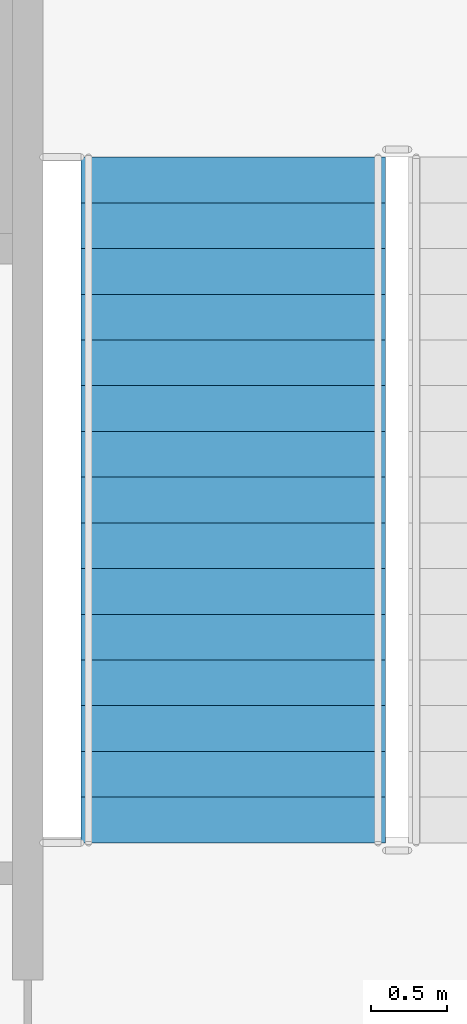
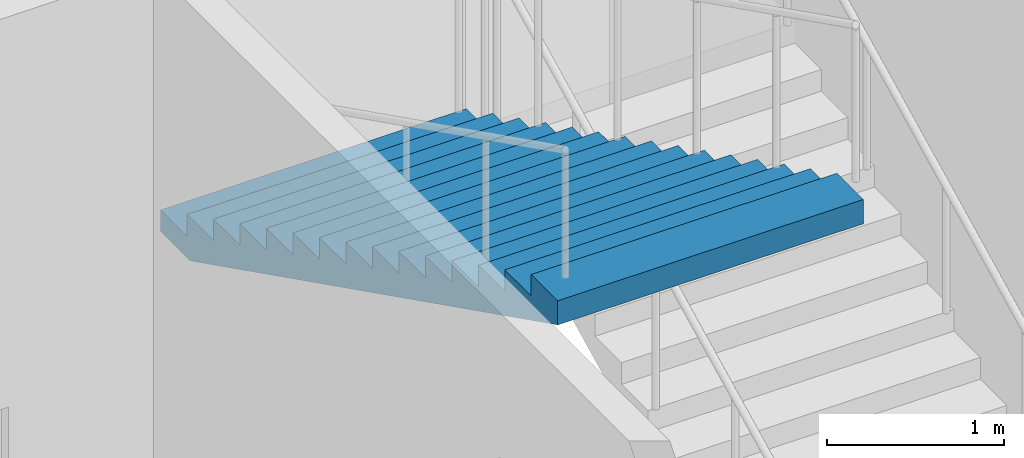
# One storey, part 42 of 91: 1 stair flight, 1 element without a shape of its own.
"""IFC4 building model written with IfcOpenShell, lengths in metres."""

from ifc_helpers import new_model, si_unit, direction, frame, origin, place, context, subcontext, project, spatial, faceted_brep, material, type_object, element, aggregate, save


model = new_model("IFC4")

# Units and contexts
model_context = context("Model", 3, precision=1e-05, world=origin(), true_north=direction((0.0, 1.0)))
body_context = subcontext(model_context, "Body", "Model", "MODEL_VIEW")
ifc_project = project(units=[si_unit("LENGTHUNIT", "METRE"), si_unit("AREAUNIT", "SQUARE_METRE"), si_unit("VOLUMEUNIT", "CUBIC_METRE"), si_unit("PLANEANGLEUNIT", "RADIAN"), si_unit("MASSUNIT", "GRAM", prefix="KILO")], contexts=[model_context])

# Site, building, storey
site_placement = place(None, origin())
site = spatial("IfcSite", under=ifc_project, at=site_placement, CompositionType="ELEMENT")
building_placement = place(site_placement, origin())
building = spatial("IfcBuilding", under=site, at=building_placement, Name="Kiln Court Media Centre", CompositionType="ELEMENT")
storey_placement = place(building_placement, frame((0.0, 0.0, 5.39990234375)))
storey = spatial("IfcBuildingStorey", under=building, at=storey_placement, Name="L01", CompositionType="ELEMENT", Elevation=5.39990234375)

# Stair, stair flight
ifc_material_1 = material(Name="Concrete C40/50", Category="concrete")
stair_type = type_object("IfcStairType", Name="Concrete C40/50 dog-leg stair 2000 wide, 150 riser", PredefinedType="HALF_TURN_STAIR", material=ifc_material_1)
stair_placement = place(storey_placement, origin())
stair = element("IfcStair", 1, at=stair_placement, inside=storey, type_object=stair_type, Name="ST-05 L01", PredefinedType="HALF_TURN_STAIR")
ifc_material_2 = material(Name="Concrete C40/50", Category="concrete")
stair_flight_type = type_object("IfcStairFlightType", Name="Concrete C40/50 stair flight 2000 wide, 150 riser, 300 going", PredefinedType="STRAIGHT", material=ifc_material_2)
stair_flight_placement = place(storey_placement, frame((55.449951171875, 22.89990234375, 2.400146484375), z_axis=(0.0, 0.0, 1.0), x_axis=(0.0, -1.0, 0.0)))
stair_flight = element("IfcStairFlight", 2, at=stair_flight_placement, type_object=stair_flight_type, Name="L01-ST-5004 flight 5009", NumberOfRisers=16, NumberOfTreads=15, PredefinedType="STRAIGHT", RiserHeight=0.15, TreadLength=0.3, context=body_context, shape_type="Brep", body=[
    faceted_brep([(0.335205078125, -1.0, 0.0), (4.5, -1.0, 2.08251953125), (4.5, -1.0, 2.25), (4.199951171875, -1.0, 2.25), (4.199951171875, -1.0, 2.10009765625), (3.89990234375, -1.0, 2.10009765625), (3.89990234375, -1.0, 1.949951171875), (3.60009765625, -1.0, 1.949951171875), (3.60009765625, -1.0, 1.800048828125), (3.300048828125, -1.0, 1.800048828125), (3.300048828125, -1.0, 1.64990234375), (3.0, -1.0, 1.64990234375), (3.0, -1.0, 1.5), (2.699951171875, -1.0, 1.5), (2.699951171875, -1.0, 1.35009765625), (2.39990234375, -1.0, 1.35009765625), (2.39990234375, -1.0, 1.199951171875), (2.10009765625, -1.0, 1.199951171875), (2.10009765625, -1.0, 1.050048828125), (1.800048828125, -1.0, 1.050048828125), (1.800048828125, -1.0, 0.89990234375), (1.5, -1.0, 0.89990234375), (1.5, -1.0, 0.75), (1.199951171875, -1.0, 0.75), (1.199951171875, -1.0, 0.60009765625), (0.89990234375, -1.0, 0.60009765625), (0.89990234375, -1.0, 0.449951171875), (0.60009765625, -1.0, 0.449951171875), (0.60009765625, -1.0, 0.300048828125), (0.300048828125, -1.0, 0.300048828125), (0.300048828125, -1.0, 0.14990234375), (0.0, -1.0, 0.14990234375), (0.0, -1.0, 0.0), (0.0, 1.0, 0.0), (0.0, 1.0, 0.14990234375), (0.300048828125, 1.0, 0.14990234375), (0.300048828125, 1.0, 0.300048828125), (0.60009765625, 1.0, 0.300048828125), (0.60009765625, 1.0, 0.449951171875), (0.89990234375, 1.0, 0.449951171875), (0.89990234375, 1.0, 0.60009765625), (1.199951171875, 1.0, 0.60009765625), (1.199951171875, 1.0, 0.75), (1.5, 1.0, 0.75), (1.5, 1.0, 0.89990234375), (1.800048828125, 1.0, 0.89990234375), (1.800048828125, 1.0, 1.050048828125), (2.10009765625, 1.0, 1.050048828125), (2.10009765625, 1.0, 1.199951171875), (2.39990234375, 1.0, 1.199951171875), (2.39990234375, 1.0, 1.35009765625), (2.699951171875, 1.0, 1.35009765625), (2.699951171875, 1.0, 1.5), (3.0, 1.0, 1.5), (3.0, 1.0, 1.64990234375), (3.300048828125, 1.0, 1.64990234375), (3.300048828125, 1.0, 1.800048828125), (3.60009765625, 1.0, 1.800048828125), (3.60009765625, 1.0, 1.949951171875), (3.89990234375, 1.0, 1.949951171875), (3.89990234375, 1.0, 2.10009765625), (4.199951171875, 1.0, 2.10009765625), (4.199951171875, 1.0, 2.25), (4.5, 1.0, 2.25), (4.5, 1.0, 2.08251953125), (0.335205078125, 1.0, 0.0), (4.5, 0.10009765625, 2.08251953125), (0.335205078125, 0.10009765625, 0.0), (4.5, 0.080078125, 2.08251953125), (0.335205078125, 0.080078125, 0.0), (4.5, 0.06005859375, 2.08251953125), (0.335205078125, 0.06005859375, 0.0), (4.5, 0.0400390625, 2.08251953125), (0.335205078125, 0.0400390625, 0.0), (4.5, 0.02001953125, 2.08251953125), (0.335205078125, 0.02001953125, 0.0), (4.5, 0.0, 2.08251953125), (0.335205078125, 0.0, 0.0), (4.5, -0.02001953125, 2.08251953125), (0.335205078125, -0.02001953125, 0.0), (4.5, -0.0400390625, 2.08251953125), (0.335205078125, -0.0400390625, 0.0), (4.5, -0.06005859375, 2.08251953125), (0.335205078125, -0.06005859375, 0.0), (4.5, -0.080078125, 2.08251953125), (0.335205078125, -0.080078125, 0.0), (4.5, -0.10009765625, 2.08251953125), (0.335205078125, -0.10009765625, 0.0), (4.5, 0.10009765625, 2.25), (4.5, 0.080078125, 2.25), (4.5, 0.06005859375, 2.25), (4.5, 0.0400390625, 2.25), (4.5, 0.02001953125, 2.25), (4.5, 0.0, 2.25), (4.5, -0.02001953125, 2.25), (4.5, -0.0400390625, 2.25), (4.5, -0.06005859375, 2.25), (4.5, -0.080078125, 2.25), (4.5, -0.10009765625, 2.25), (4.199951171875, 0.10009765625, 2.25), (4.199951171875, 0.080078125, 2.25), (4.199951171875, 0.06005859375, 2.25), (4.199951171875, 0.0400390625, 2.25), (4.199951171875, 0.02001953125, 2.25), (4.199951171875, 0.0, 2.25), (4.199951171875, -0.02001953125, 2.25), (4.199951171875, -0.0400390625, 2.25), (4.199951171875, -0.06005859375, 2.25), (4.199951171875, -0.080078125, 2.25), (4.199951171875, -0.10009765625, 2.25), (4.199951171875, 0.10009765625, 2.10009765625), (4.199951171875, 0.080078125, 2.10009765625), (4.199951171875, 0.06005859375, 2.10009765625), (4.199951171875, 0.0400390625, 2.10009765625), (4.199951171875, 0.02001953125, 2.10009765625), (4.199951171875, 0.0, 2.10009765625), (4.199951171875, -0.02001953125, 2.10009765625), (4.199951171875, -0.0400390625, 2.10009765625), (4.199951171875, -0.06005859375, 2.10009765625), (4.199951171875, -0.080078125, 2.10009765625), (4.199951171875, -0.10009765625, 2.10009765625), (3.89990234375, 0.10009765625, 2.10009765625), (3.89990234375, 0.080078125, 2.10009765625), (3.89990234375, 0.06005859375, 2.10009765625), (3.89990234375, 0.0400390625, 2.10009765625), (3.89990234375, 0.02001953125, 2.10009765625), (3.89990234375, 0.0, 2.10009765625), (3.89990234375, -0.02001953125, 2.10009765625), (3.89990234375, -0.0400390625, 2.10009765625), (3.89990234375, -0.06005859375, 2.10009765625), (3.89990234375, -0.080078125, 2.10009765625), (3.89990234375, -0.10009765625, 2.10009765625), (3.89990234375, 0.10009765625, 1.949951171875), (3.89990234375, 0.080078125, 1.949951171875), (3.89990234375, 0.06005859375, 1.949951171875), (3.89990234375, 0.0400390625, 1.949951171875), (3.89990234375, 0.02001953125, 1.949951171875), (3.89990234375, 0.0, 1.949951171875), (3.89990234375, -0.02001953125, 1.949951171875), (3.89990234375, -0.0400390625, 1.949951171875), (3.89990234375, -0.06005859375, 1.949951171875), (3.89990234375, -0.080078125, 1.949951171875), (3.89990234375, -0.10009765625, 1.949951171875), (3.60009765625, 0.10009765625, 1.949951171875), (3.60009765625, 0.080078125, 1.949951171875), (3.60009765625, 0.06005859375, 1.949951171875), (3.60009765625, 0.0400390625, 1.949951171875), (3.60009765625, 0.02001953125, 1.949951171875), (3.60009765625, 0.0, 1.949951171875), (3.60009765625, -0.02001953125, 1.949951171875), (3.60009765625, -0.0400390625, 1.949951171875), (3.60009765625, -0.06005859375, 1.949951171875), (3.60009765625, -0.080078125, 1.949951171875), (3.60009765625, -0.10009765625, 1.949951171875), (3.60009765625, 0.10009765625, 1.800048828125), (3.60009765625, 0.080078125, 1.800048828125), (3.60009765625, 0.06005859375, 1.800048828125), (3.60009765625, 0.0400390625, 1.800048828125), (3.60009765625, 0.02001953125, 1.800048828125), (3.60009765625, 0.0, 1.800048828125), (3.60009765625, -0.02001953125, 1.800048828125), (3.60009765625, -0.0400390625, 1.800048828125), (3.60009765625, -0.06005859375, 1.800048828125), (3.60009765625, -0.080078125, 1.800048828125), (3.60009765625, -0.10009765625, 1.800048828125), (3.300048828125, 0.10009765625, 1.800048828125), (3.300048828125, 0.080078125, 1.800048828125), (3.300048828125, 0.06005859375, 1.800048828125), (3.300048828125, 0.0400390625, 1.800048828125), (3.300048828125, 0.02001953125, 1.800048828125), (3.300048828125, 0.0, 1.800048828125), (3.300048828125, -0.02001953125, 1.800048828125), (3.300048828125, -0.0400390625, 1.800048828125), (3.300048828125, -0.06005859375, 1.800048828125), (3.300048828125, -0.080078125, 1.800048828125), (3.300048828125, -0.10009765625, 1.800048828125), (3.300048828125, 0.10009765625, 1.64990234375), (3.300048828125, 0.080078125, 1.64990234375), (3.300048828125, 0.06005859375, 1.64990234375), (3.300048828125, 0.0400390625, 1.64990234375), (3.300048828125, 0.02001953125, 1.64990234375), (3.300048828125, 0.0, 1.64990234375), (3.300048828125, -0.02001953125, 1.64990234375), (3.300048828125, -0.0400390625, 1.64990234375), (3.300048828125, -0.06005859375, 1.64990234375), (3.300048828125, -0.080078125, 1.64990234375), (3.300048828125, -0.10009765625, 1.64990234375), (3.0, 0.10009765625, 1.64990234375), (3.0, 0.080078125, 1.64990234375), (3.0, 0.06005859375, 1.64990234375), (3.0, 0.0400390625, 1.64990234375), (3.0, 0.02001953125, 1.64990234375), (3.0, 0.0, 1.64990234375), (3.0, -0.02001953125, 1.64990234375), (3.0, -0.0400390625, 1.64990234375), (3.0, -0.06005859375, 1.64990234375), (3.0, -0.080078125, 1.64990234375), (3.0, -0.10009765625, 1.64990234375), (3.0, 0.10009765625, 1.5), (3.0, 0.080078125, 1.5), (3.0, 0.06005859375, 1.5), (3.0, 0.0400390625, 1.5), (3.0, 0.02001953125, 1.5), (3.0, 0.0, 1.5), (3.0, -0.02001953125, 1.5), (3.0, -0.0400390625, 1.5), (3.0, -0.06005859375, 1.5), (3.0, -0.080078125, 1.5), (3.0, -0.10009765625, 1.5), (2.699951171875, 0.10009765625, 1.5), (2.699951171875, 0.080078125, 1.5), (2.699951171875, 0.06005859375, 1.5), (2.699951171875, 0.0400390625, 1.5), (2.699951171875, 0.02001953125, 1.5), (2.699951171875, 0.0, 1.5), (2.699951171875, -0.02001953125, 1.5), (2.699951171875, -0.0400390625, 1.5), (2.699951171875, -0.06005859375, 1.5), (2.699951171875, -0.080078125, 1.5), (2.699951171875, -0.10009765625, 1.5), (2.699951171875, 0.10009765625, 1.35009765625), (2.699951171875, 0.080078125, 1.35009765625), (2.699951171875, 0.06005859375, 1.35009765625), (2.699951171875, 0.0400390625, 1.35009765625), (2.699951171875, 0.02001953125, 1.35009765625), (2.699951171875, 0.0, 1.35009765625), (2.699951171875, -0.02001953125, 1.35009765625), (2.699951171875, -0.0400390625, 1.35009765625), (2.699951171875, -0.06005859375, 1.35009765625), (2.699951171875, -0.080078125, 1.35009765625), (2.699951171875, -0.10009765625, 1.35009765625), (2.39990234375, 0.10009765625, 1.35009765625), (2.39990234375, 0.080078125, 1.35009765625), (2.39990234375, 0.06005859375, 1.35009765625), (2.39990234375, 0.0400390625, 1.35009765625), (2.39990234375, 0.02001953125, 1.35009765625), (2.39990234375, 0.0, 1.35009765625), (2.39990234375, -0.02001953125, 1.35009765625), (2.39990234375, -0.0400390625, 1.35009765625), (2.39990234375, -0.06005859375, 1.35009765625), (2.39990234375, -0.080078125, 1.35009765625), (2.39990234375, -0.10009765625, 1.35009765625), (2.39990234375, 0.10009765625, 1.199951171875), (2.39990234375, 0.080078125, 1.199951171875), (2.39990234375, 0.06005859375, 1.199951171875), (2.39990234375, 0.0400390625, 1.199951171875), (2.39990234375, 0.02001953125, 1.199951171875), (2.39990234375, 0.0, 1.199951171875), (2.39990234375, -0.02001953125, 1.199951171875), (2.39990234375, -0.0400390625, 1.199951171875), (2.39990234375, -0.06005859375, 1.199951171875), (2.39990234375, -0.080078125, 1.199951171875), (2.39990234375, -0.10009765625, 1.199951171875), (2.10009765625, 0.10009765625, 1.199951171875), (2.10009765625, 0.080078125, 1.199951171875), (2.10009765625, 0.06005859375, 1.199951171875), (2.10009765625, 0.0400390625, 1.199951171875), (2.10009765625, 0.02001953125, 1.199951171875), (2.10009765625, 0.0, 1.199951171875), (2.10009765625, -0.02001953125, 1.199951171875), (2.10009765625, -0.0400390625, 1.199951171875), (2.10009765625, -0.06005859375, 1.199951171875), (2.10009765625, -0.080078125, 1.199951171875), (2.10009765625, -0.10009765625, 1.199951171875), (2.10009765625, 0.10009765625, 1.050048828125), (2.10009765625, 0.080078125, 1.050048828125), (2.10009765625, 0.06005859375, 1.050048828125), (2.10009765625, 0.0400390625, 1.050048828125), (2.10009765625, 0.02001953125, 1.050048828125), (2.10009765625, 0.0, 1.050048828125), (2.10009765625, -0.02001953125, 1.050048828125), (2.10009765625, -0.0400390625, 1.050048828125), (2.10009765625, -0.06005859375, 1.050048828125), (2.10009765625, -0.080078125, 1.050048828125), (2.10009765625, -0.10009765625, 1.050048828125), (1.800048828125, 0.10009765625, 1.050048828125), (1.800048828125, 0.080078125, 1.050048828125), (1.800048828125, 0.06005859375, 1.050048828125), (1.800048828125, 0.0400390625, 1.050048828125), (1.800048828125, 0.02001953125, 1.050048828125), (1.800048828125, 0.0, 1.050048828125), (1.800048828125, -0.02001953125, 1.050048828125), (1.800048828125, -0.0400390625, 1.050048828125), (1.800048828125, -0.06005859375, 1.050048828125), (1.800048828125, -0.080078125, 1.050048828125), (1.800048828125, -0.10009765625, 1.050048828125), (1.800048828125, 0.10009765625, 0.89990234375), (1.800048828125, 0.080078125, 0.89990234375), (1.800048828125, 0.06005859375, 0.89990234375), (1.800048828125, 0.0400390625, 0.89990234375), (1.800048828125, 0.02001953125, 0.89990234375), (1.800048828125, 0.0, 0.89990234375), (1.800048828125, -0.02001953125, 0.89990234375), (1.800048828125, -0.0400390625, 0.89990234375), (1.800048828125, -0.06005859375, 0.89990234375), (1.800048828125, -0.080078125, 0.89990234375), (1.800048828125, -0.10009765625, 0.89990234375), (1.5, 0.10009765625, 0.89990234375), (1.5, 0.080078125, 0.89990234375), (1.5, 0.06005859375, 0.89990234375), (1.5, 0.0400390625, 0.89990234375), (1.5, 0.02001953125, 0.89990234375), (1.5, 0.0, 0.89990234375), (1.5, -0.02001953125, 0.89990234375), (1.5, -0.0400390625, 0.89990234375), (1.5, -0.06005859375, 0.89990234375), (1.5, -0.080078125, 0.89990234375), (1.5, -0.10009765625, 0.89990234375), (1.5, 0.10009765625, 0.75), (1.5, 0.080078125, 0.75), (1.5, 0.06005859375, 0.75), (1.5, 0.0400390625, 0.75), (1.5, 0.02001953125, 0.75), (1.5, 0.0, 0.75), (1.5, -0.02001953125, 0.75), (1.5, -0.0400390625, 0.75), (1.5, -0.06005859375, 0.75), (1.5, -0.080078125, 0.75), (1.5, -0.10009765625, 0.75), (1.199951171875, 0.10009765625, 0.75), (1.199951171875, 0.080078125, 0.75), (1.199951171875, 0.06005859375, 0.75), (1.199951171875, 0.0400390625, 0.75), (1.199951171875, 0.02001953125, 0.75), (1.199951171875, 0.0, 0.75), (1.199951171875, -0.02001953125, 0.75), (1.199951171875, -0.0400390625, 0.75), (1.199951171875, -0.06005859375, 0.75), (1.199951171875, -0.080078125, 0.75), (1.199951171875, -0.10009765625, 0.75), (1.199951171875, 0.10009765625, 0.60009765625), (1.199951171875, 0.080078125, 0.60009765625), (1.199951171875, 0.06005859375, 0.60009765625), (1.199951171875, 0.0400390625, 0.60009765625), (1.199951171875, 0.02001953125, 0.60009765625), (1.199951171875, 0.0, 0.60009765625), (1.199951171875, -0.02001953125, 0.60009765625), (1.199951171875, -0.0400390625, 0.60009765625), (1.199951171875, -0.06005859375, 0.60009765625), (1.199951171875, -0.080078125, 0.60009765625), (1.199951171875, -0.10009765625, 0.60009765625), (0.89990234375, 0.10009765625, 0.60009765625), (0.89990234375, 0.080078125, 0.60009765625), (0.89990234375, 0.06005859375, 0.60009765625), (0.89990234375, 0.0400390625, 0.60009765625), (0.89990234375, 0.02001953125, 0.60009765625), (0.89990234375, 0.0, 0.60009765625), (0.89990234375, -0.02001953125, 0.60009765625), (0.89990234375, -0.0400390625, 0.60009765625), (0.89990234375, -0.06005859375, 0.60009765625), (0.89990234375, -0.080078125, 0.60009765625), (0.89990234375, -0.10009765625, 0.60009765625), (0.89990234375, 0.10009765625, 0.449951171875), (0.89990234375, 0.080078125, 0.449951171875), (0.89990234375, 0.06005859375, 0.449951171875), (0.89990234375, 0.0400390625, 0.449951171875), (0.89990234375, 0.02001953125, 0.449951171875), (0.89990234375, 0.0, 0.449951171875), (0.89990234375, -0.02001953125, 0.449951171875), (0.89990234375, -0.0400390625, 0.449951171875), (0.89990234375, -0.06005859375, 0.449951171875), (0.89990234375, -0.080078125, 0.449951171875), (0.89990234375, -0.10009765625, 0.449951171875), (0.60009765625, 0.10009765625, 0.449951171875), (0.60009765625, 0.080078125, 0.449951171875), (0.60009765625, 0.06005859375, 0.449951171875), (0.60009765625, 0.0400390625, 0.449951171875), (0.60009765625, 0.02001953125, 0.449951171875), (0.60009765625, 0.0, 0.449951171875), (0.60009765625, -0.02001953125, 0.449951171875), (0.60009765625, -0.0400390625, 0.449951171875), (0.60009765625, -0.06005859375, 0.449951171875), (0.60009765625, -0.080078125, 0.449951171875), (0.60009765625, -0.10009765625, 0.449951171875), (0.60009765625, 0.10009765625, 0.300048828125), (0.60009765625, 0.080078125, 0.300048828125), (0.60009765625, 0.06005859375, 0.300048828125), (0.60009765625, 0.0400390625, 0.300048828125), (0.60009765625, 0.02001953125, 0.300048828125), (0.60009765625, 0.0, 0.300048828125), (0.60009765625, -0.02001953125, 0.300048828125), (0.60009765625, -0.0400390625, 0.300048828125), (0.60009765625, -0.06005859375, 0.300048828125), (0.60009765625, -0.080078125, 0.300048828125), (0.60009765625, -0.10009765625, 0.300048828125), (0.300048828125, 0.10009765625, 0.300048828125), (0.300048828125, 0.080078125, 0.300048828125), (0.300048828125, 0.06005859375, 0.300048828125), (0.300048828125, 0.0400390625, 0.300048828125), (0.300048828125, 0.02001953125, 0.300048828125), (0.300048828125, 0.0, 0.300048828125), (0.300048828125, -0.02001953125, 0.300048828125), (0.300048828125, -0.0400390625, 0.300048828125), (0.300048828125, -0.06005859375, 0.300048828125), (0.300048828125, -0.080078125, 0.300048828125), (0.300048828125, -0.10009765625, 0.300048828125), (0.300048828125, 0.10009765625, 0.14990234375), (0.300048828125, 0.080078125, 0.14990234375), (0.300048828125, 0.06005859375, 0.14990234375), (0.300048828125, 0.0400390625, 0.14990234375), (0.300048828125, 0.02001953125, 0.14990234375), (0.300048828125, 0.0, 0.14990234375), (0.300048828125, -0.02001953125, 0.14990234375), (0.300048828125, -0.0400390625, 0.14990234375), (0.300048828125, -0.06005859375, 0.14990234375), (0.300048828125, -0.080078125, 0.14990234375), (0.300048828125, -0.10009765625, 0.14990234375), (0.0, 0.10009765625, 0.14990234375), (0.0, 0.080078125, 0.14990234375), (0.0, 0.06005859375, 0.14990234375), (0.0, 0.0400390625, 0.14990234375), (0.0, 0.02001953125, 0.14990234375), (0.0, 0.0, 0.14990234375), (0.0, -0.02001953125, 0.14990234375), (0.0, -0.0400390625, 0.14990234375), (0.0, -0.06005859375, 0.14990234375), (0.0, -0.080078125, 0.14990234375), (0.0, -0.10009765625, 0.14990234375), (0.0, 0.10009765625, 0.0), (0.0, 0.080078125, 0.0), (0.0, 0.06005859375, 0.0), (0.0, 0.0400390625, 0.0), (0.0, 0.02001953125, 0.0), (0.0, 0.0, 0.0), (0.0, -0.02001953125, 0.0), (0.0, -0.0400390625, 0.0), (0.0, -0.06005859375, 0.0), (0.0, -0.080078125, 0.0), (0.0, -0.10009765625, 0.0)], [[[0, 1, 2, 3, 4, 5, 6, 7, 8, 9, 10, 11, 12, 13, 14, 15, 16, 17, 18, 19, 20, 21, 22, 23, 24, 25, 26, 27, 28, 29, 30, 31, 32]], [[33, 34, 35, 36, 37, 38, 39, 40, 41, 42, 43, 44, 45, 46, 47, 48, 49, 50, 51, 52, 53, 54, 55, 56, 57, 58, 59, 60, 61, 62, 63, 64, 65]], [[65, 64, 66, 67]], [[67, 66, 68, 69]], [[69, 68, 70, 71]], [[71, 70, 72, 73]], [[73, 72, 74, 75]], [[75, 74, 76, 77]], [[77, 76, 78, 79]], [[79, 78, 80, 81]], [[81, 80, 82, 83]], [[83, 82, 84, 85]], [[85, 84, 86, 87]], [[87, 86, 1, 0]], [[64, 63, 88, 66]], [[66, 88, 89, 68]], [[68, 89, 90, 70]], [[70, 90, 91, 72]], [[72, 91, 92, 74]], [[74, 92, 93, 76]], [[76, 93, 94, 78]], [[78, 94, 95, 80]], [[80, 95, 96, 82]], [[82, 96, 97, 84]], [[84, 97, 98, 86]], [[86, 98, 2, 1]], [[63, 62, 99, 88]], [[88, 99, 100, 89]], [[89, 100, 101, 90]], [[90, 101, 102, 91]], [[91, 102, 103, 92]], [[92, 103, 104, 93]], [[93, 104, 105, 94]], [[94, 105, 106, 95]], [[95, 106, 107, 96]], [[96, 107, 108, 97]], [[97, 108, 109, 98]], [[98, 109, 3, 2]], [[62, 61, 110, 99]], [[99, 110, 111, 100]], [[100, 111, 112, 101]], [[101, 112, 113, 102]], [[102, 113, 114, 103]], [[103, 114, 115, 104]], [[104, 115, 116, 105]], [[105, 116, 117, 106]], [[106, 117, 118, 107]], [[107, 118, 119, 108]], [[108, 119, 120, 109]], [[109, 120, 4, 3]], [[61, 60, 121, 110]], [[110, 121, 122, 111]], [[111, 122, 123, 112]], [[112, 123, 124, 113]], [[113, 124, 125, 114]], [[114, 125, 126, 115]], [[115, 126, 127, 116]], [[116, 127, 128, 117]], [[117, 128, 129, 118]], [[118, 129, 130, 119]], [[119, 130, 131, 120]], [[120, 131, 5, 4]], [[60, 59, 132, 121]], [[121, 132, 133, 122]], [[122, 133, 134, 123]], [[123, 134, 135, 124]], [[124, 135, 136, 125]], [[125, 136, 137, 126]], [[126, 137, 138, 127]], [[127, 138, 139, 128]], [[128, 139, 140, 129]], [[129, 140, 141, 130]], [[130, 141, 142, 131]], [[131, 142, 6, 5]], [[59, 58, 143, 132]], [[132, 143, 144, 133]], [[133, 144, 145, 134]], [[134, 145, 146, 135]], [[135, 146, 147, 136]], [[136, 147, 148, 137]], [[137, 148, 149, 138]], [[138, 149, 150, 139]], [[139, 150, 151, 140]], [[140, 151, 152, 141]], [[141, 152, 153, 142]], [[142, 153, 7, 6]], [[58, 57, 154, 143]], [[143, 154, 155, 144]], [[144, 155, 156, 145]], [[145, 156, 157, 146]], [[146, 157, 158, 147]], [[147, 158, 159, 148]], [[148, 159, 160, 149]], [[149, 160, 161, 150]], [[150, 161, 162, 151]], [[151, 162, 163, 152]], [[152, 163, 164, 153]], [[153, 164, 8, 7]], [[57, 56, 165, 154]], [[154, 165, 166, 155]], [[155, 166, 167, 156]], [[156, 167, 168, 157]], [[157, 168, 169, 158]], [[158, 169, 170, 159]], [[159, 170, 171, 160]], [[160, 171, 172, 161]], [[161, 172, 173, 162]], [[162, 173, 174, 163]], [[163, 174, 175, 164]], [[164, 175, 9, 8]], [[56, 55, 176, 165]], [[165, 176, 177, 166]], [[166, 177, 178, 167]], [[167, 178, 179, 168]], [[168, 179, 180, 169]], [[169, 180, 181, 170]], [[170, 181, 182, 171]], [[171, 182, 183, 172]], [[172, 183, 184, 173]], [[173, 184, 185, 174]], [[174, 185, 186, 175]], [[175, 186, 10, 9]], [[55, 54, 187, 176]], [[176, 187, 188, 177]], [[177, 188, 189, 178]], [[178, 189, 190, 179]], [[179, 190, 191, 180]], [[180, 191, 192, 181]], [[181, 192, 193, 182]], [[182, 193, 194, 183]], [[183, 194, 195, 184]], [[184, 195, 196, 185]], [[185, 196, 197, 186]], [[186, 197, 11, 10]], [[54, 53, 198, 187]], [[187, 198, 199, 188]], [[188, 199, 200, 189]], [[189, 200, 201, 190]], [[190, 201, 202, 191]], [[191, 202, 203, 192]], [[192, 203, 204, 193]], [[193, 204, 205, 194]], [[194, 205, 206, 195]], [[195, 206, 207, 196]], [[196, 207, 208, 197]], [[197, 208, 12, 11]], [[53, 52, 209, 198]], [[198, 209, 210, 199]], [[199, 210, 211, 200]], [[200, 211, 212, 201]], [[201, 212, 213, 202]], [[202, 213, 214, 203]], [[203, 214, 215, 204]], [[204, 215, 216, 205]], [[205, 216, 217, 206]], [[206, 217, 218, 207]], [[207, 218, 219, 208]], [[208, 219, 13, 12]], [[52, 51, 220, 209]], [[209, 220, 221, 210]], [[210, 221, 222, 211]], [[211, 222, 223, 212]], [[212, 223, 224, 213]], [[213, 224, 225, 214]], [[214, 225, 226, 215]], [[215, 226, 227, 216]], [[216, 227, 228, 217]], [[217, 228, 229, 218]], [[218, 229, 230, 219]], [[219, 230, 14, 13]], [[51, 50, 231, 220]], [[220, 231, 232, 221]], [[221, 232, 233, 222]], [[222, 233, 234, 223]], [[223, 234, 235, 224]], [[224, 235, 236, 225]], [[225, 236, 237, 226]], [[226, 237, 238, 227]], [[227, 238, 239, 228]], [[228, 239, 240, 229]], [[229, 240, 241, 230]], [[230, 241, 15, 14]], [[50, 49, 242, 231]], [[231, 242, 243, 232]], [[232, 243, 244, 233]], [[233, 244, 245, 234]], [[234, 245, 246, 235]], [[235, 246, 247, 236]], [[236, 247, 248, 237]], [[237, 248, 249, 238]], [[238, 249, 250, 239]], [[239, 250, 251, 240]], [[240, 251, 252, 241]], [[241, 252, 16, 15]], [[49, 48, 253, 242]], [[242, 253, 254, 243]], [[243, 254, 255, 244]], [[244, 255, 256, 245]], [[245, 256, 257, 246]], [[246, 257, 258, 247]], [[247, 258, 259, 248]], [[248, 259, 260, 249]], [[249, 260, 261, 250]], [[250, 261, 262, 251]], [[251, 262, 263, 252]], [[252, 263, 17, 16]], [[48, 47, 264, 253]], [[253, 264, 265, 254]], [[254, 265, 266, 255]], [[255, 266, 267, 256]], [[256, 267, 268, 257]], [[257, 268, 269, 258]], [[258, 269, 270, 259]], [[259, 270, 271, 260]], [[260, 271, 272, 261]], [[261, 272, 273, 262]], [[262, 273, 274, 263]], [[263, 274, 18, 17]], [[47, 46, 275, 264]], [[264, 275, 276, 265]], [[265, 276, 277, 266]], [[266, 277, 278, 267]], [[267, 278, 279, 268]], [[268, 279, 280, 269]], [[269, 280, 281, 270]], [[270, 281, 282, 271]], [[271, 282, 283, 272]], [[272, 283, 284, 273]], [[273, 284, 285, 274]], [[274, 285, 19, 18]], [[46, 45, 286, 275]], [[275, 286, 287, 276]], [[276, 287, 288, 277]], [[277, 288, 289, 278]], [[278, 289, 290, 279]], [[279, 290, 291, 280]], [[280, 291, 292, 281]], [[281, 292, 293, 282]], [[282, 293, 294, 283]], [[283, 294, 295, 284]], [[284, 295, 296, 285]], [[285, 296, 20, 19]], [[45, 44, 297, 286]], [[286, 297, 298, 287]], [[287, 298, 299, 288]], [[288, 299, 300, 289]], [[289, 300, 301, 290]], [[290, 301, 302, 291]], [[291, 302, 303, 292]], [[292, 303, 304, 293]], [[293, 304, 305, 294]], [[294, 305, 306, 295]], [[295, 306, 307, 296]], [[296, 307, 21, 20]], [[44, 43, 308, 297]], [[297, 308, 309, 298]], [[298, 309, 310, 299]], [[299, 310, 311, 300]], [[300, 311, 312, 301]], [[301, 312, 313, 302]], [[302, 313, 314, 303]], [[303, 314, 315, 304]], [[304, 315, 316, 305]], [[305, 316, 317, 306]], [[306, 317, 318, 307]], [[307, 318, 22, 21]], [[43, 42, 319, 308]], [[308, 319, 320, 309]], [[309, 320, 321, 310]], [[310, 321, 322, 311]], [[311, 322, 323, 312]], [[312, 323, 324, 313]], [[313, 324, 325, 314]], [[314, 325, 326, 315]], [[315, 326, 327, 316]], [[316, 327, 328, 317]], [[317, 328, 329, 318]], [[318, 329, 23, 22]], [[42, 41, 330, 319]], [[319, 330, 331, 320]], [[320, 331, 332, 321]], [[321, 332, 333, 322]], [[322, 333, 334, 323]], [[323, 334, 335, 324]], [[324, 335, 336, 325]], [[325, 336, 337, 326]], [[326, 337, 338, 327]], [[327, 338, 339, 328]], [[328, 339, 340, 329]], [[329, 340, 24, 23]], [[41, 40, 341, 330]], [[330, 341, 342, 331]], [[331, 342, 343, 332]], [[332, 343, 344, 333]], [[333, 344, 345, 334]], [[334, 345, 346, 335]], [[335, 346, 347, 336]], [[336, 347, 348, 337]], [[337, 348, 349, 338]], [[338, 349, 350, 339]], [[339, 350, 351, 340]], [[340, 351, 25, 24]], [[40, 39, 352, 341]], [[341, 352, 353, 342]], [[342, 353, 354, 343]], [[343, 354, 355, 344]], [[344, 355, 356, 345]], [[345, 356, 357, 346]], [[346, 357, 358, 347]], [[347, 358, 359, 348]], [[348, 359, 360, 349]], [[349, 360, 361, 350]], [[350, 361, 362, 351]], [[351, 362, 26, 25]], [[39, 38, 363, 352]], [[352, 363, 364, 353]], [[353, 364, 365, 354]], [[354, 365, 366, 355]], [[355, 366, 367, 356]], [[356, 367, 368, 357]], [[357, 368, 369, 358]], [[358, 369, 370, 359]], [[359, 370, 371, 360]], [[360, 371, 372, 361]], [[361, 372, 373, 362]], [[362, 373, 27, 26]], [[38, 37, 374, 363]], [[363, 374, 375, 364]], [[364, 375, 376, 365]], [[365, 376, 377, 366]], [[366, 377, 378, 367]], [[367, 378, 379, 368]], [[368, 379, 380, 369]], [[369, 380, 381, 370]], [[370, 381, 382, 371]], [[371, 382, 383, 372]], [[372, 383, 384, 373]], [[373, 384, 28, 27]], [[37, 36, 385, 374]], [[374, 385, 386, 375]], [[375, 386, 387, 376]], [[376, 387, 388, 377]], [[377, 388, 389, 378]], [[378, 389, 390, 379]], [[379, 390, 391, 380]], [[380, 391, 392, 381]], [[381, 392, 393, 382]], [[382, 393, 394, 383]], [[383, 394, 395, 384]], [[384, 395, 29, 28]], [[36, 35, 396, 385]], [[385, 396, 397, 386]], [[386, 397, 398, 387]], [[387, 398, 399, 388]], [[388, 399, 400, 389]], [[389, 400, 401, 390]], [[390, 401, 402, 391]], [[391, 402, 403, 392]], [[392, 403, 404, 393]], [[393, 404, 405, 394]], [[394, 405, 406, 395]], [[395, 406, 30, 29]], [[35, 34, 407, 396]], [[396, 407, 408, 397]], [[397, 408, 409, 398]], [[398, 409, 410, 399]], [[399, 410, 411, 400]], [[400, 411, 412, 401]], [[401, 412, 413, 402]], [[402, 413, 414, 403]], [[403, 414, 415, 404]], [[404, 415, 416, 405]], [[405, 416, 417, 406]], [[406, 417, 31, 30]], [[34, 33, 418, 407]], [[407, 418, 419, 408]], [[408, 419, 420, 409]], [[409, 420, 421, 410]], [[410, 421, 422, 411]], [[411, 422, 423, 412]], [[412, 423, 424, 413]], [[413, 424, 425, 414]], [[414, 425, 426, 415]], [[415, 426, 427, 416]], [[416, 427, 428, 417]], [[417, 428, 32, 31]], [[33, 65, 67, 418]], [[418, 67, 69, 419]], [[419, 69, 71, 420]], [[420, 71, 73, 421]], [[421, 73, 75, 422]], [[422, 75, 77, 423]], [[423, 77, 79, 424]], [[424, 79, 81, 425]], [[425, 81, 83, 426]], [[426, 83, 85, 427]], [[427, 85, 87, 428]], [[428, 87, 0, 32]]]),
])
aggregate(stair, [stair_flight])

save(model, "model.ifc")
